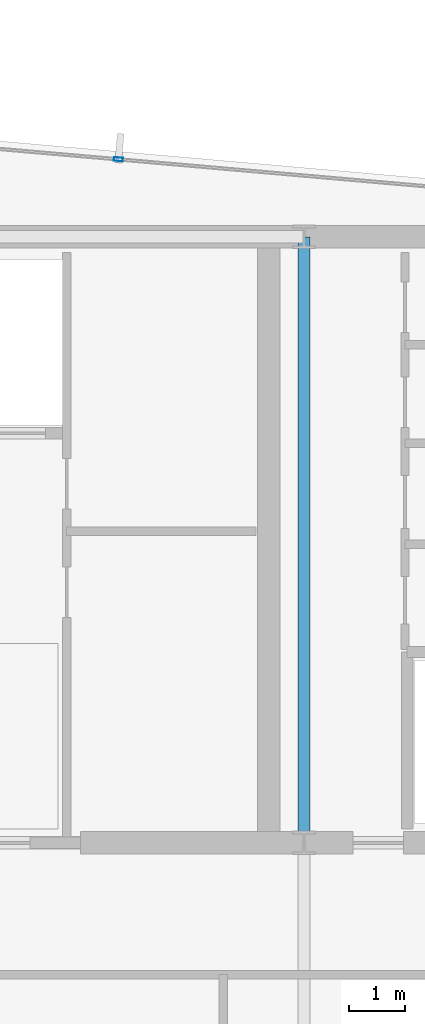
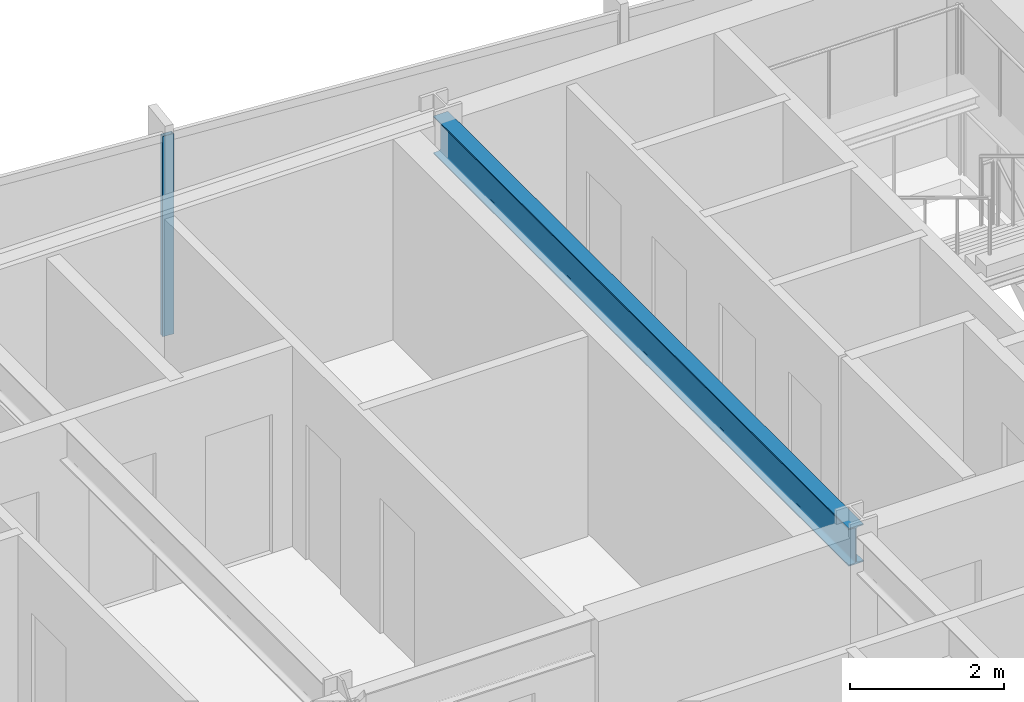
# One storey, part 19 of 32: 1 beam, 1 member, 1 element without a shape of its own.
"""IFC4 building model written with IfcOpenShell, lengths in metres."""

from ifc_helpers import new_model, si_unit, direction, frame, origin, origin_2d, place, context, subcontext, project, spatial, hollow_rectangle, i_section, extrude, material, material_profile, profile_set, type_object, element, aggregate, save


model = new_model("IFC4")

# Units and contexts
model_context = context("Model", 3, precision=1e-05, world=origin(), true_north=direction((0.0, 1.0)))
body_context = subcontext(model_context, "Body", "Model", "MODEL_VIEW")
ifc_project = project(units=[si_unit("LENGTHUNIT", "METRE"), si_unit("AREAUNIT", "SQUARE_METRE"), si_unit("VOLUMEUNIT", "CUBIC_METRE"), si_unit("PLANEANGLEUNIT", "RADIAN"), si_unit("MASSUNIT", "GRAM", prefix="KILO")], contexts=[model_context])

# Site, building, storey
site_placement = place(None, origin())
site = spatial("IfcSite", under=ifc_project, at=site_placement, CompositionType="ELEMENT")
building_placement = place(site_placement, origin())
building = spatial("IfcBuilding", under=site, at=building_placement, Name="Yelkora Congress Tower", CompositionType="ELEMENT")
storey_placement = place(building_placement, frame((0.0, 0.0, 265.89990234375)))
storey = spatial("IfcBuildingStorey", under=building, at=storey_placement, Name="L74", CompositionType="ELEMENT", Elevation=265.89990234375)

# Beam
ifc_material_1 = material(Name="Steel S355J2", Category="steel")
ifc_material_profile_1 = material_profile(ifc_material_1, i_section(OverallWidth=0.219970703125, OverallDepth=0.60009765625, WebThickness=0.011962890625, FlangeThickness=0.01904296875, FilletRadius=0.02392578125, at=origin_2d()), Name="IPE 600")
ifc_profile_set_1 = profile_set([ifc_material_profile_1], Name="Steel S355J2")
beam_type = type_object("IfcBeamType", Name="BM-GIRD-IPE600", PredefinedType="BEAM", material=ifc_profile_set_1)
beam_placement = place(storey_placement, frame((46.080078125, 35.39990234375, 2.880126953125), z_axis=(0.0, 1.0, 0.0), x_axis=(-1.0, 0.0, 0.0)))
element("IfcBeam", 1, at=beam_placement, inside=storey, type_object=beam_type, Name="L74 Core Tie Girder MC-S4", PredefinedType="BEAM", context=body_context, shape_type="SweptSolid", body=[
    extrude(i_section(OverallWidth=0.219970703125, OverallDepth=0.60009765625, WebThickness=0.011962890625, FlangeThickness=0.01904296875, FilletRadius=0.02392578125, at=origin_2d()), origin(), (0.0, 0.0, 1.0), 10.800048828125),
])

# Curtain wall, member
ifc_material_2 = material(Name="Anodised aluminium and insulated glass", Category="aluminium")
curtain_wall_type = type_object("IfcCurtainWallType", Name="CW-SYS-B5", PredefinedType="NOTDEFINED", material=ifc_material_2)
curtain_wall_placement = place(storey_placement, origin())
curtain_wall = element("IfcCurtainWall", 2, at=curtain_wall_placement, inside=storey, type_object=curtain_wall_type, Name="L74 Unitised Curtain Wall 10", PredefinedType="NOTDEFINED")
ifc_material_3 = material(Name="Anodised aluminium 6063-T6", Category="aluminium")
ifc_material_profile_2 = material_profile(ifc_material_3, hollow_rectangle(XDim=0.06494140625, YDim=0.159912109375, WallThickness=0.00390625, at=origin_2d()), Name="ALU 65x160x4")
ifc_profile_set_2 = profile_set([ifc_material_profile_2], Name="Anodised aluminium 6063-T6")
member_type = type_object("IfcMemberType", Name="MEM-ML-B5", PredefinedType="MULLION", material=ifc_profile_set_2)
member_placement = place(storey_placement, frame((42.77294921875, 47.58154296875, 0.0), z_axis=(0.0, 0.0, 1.0), x_axis=(0.087156639893, 0.996194619601, 0.0)))
member = element("IfcMember", 3, at=member_placement, type_object=member_type, Name="CW-B5 mullion 6", PredefinedType="MULLION", context=body_context, shape_type="SweptSolid", body=[
    extrude(hollow_rectangle(XDim=0.06494140625, YDim=0.159912109375, WallThickness=0.00390625, at=origin_2d()), origin(), (0.0, 0.0, 1.0), 3.18017578125),
])
aggregate(curtain_wall, [member])

save(model, "model.ifc")
